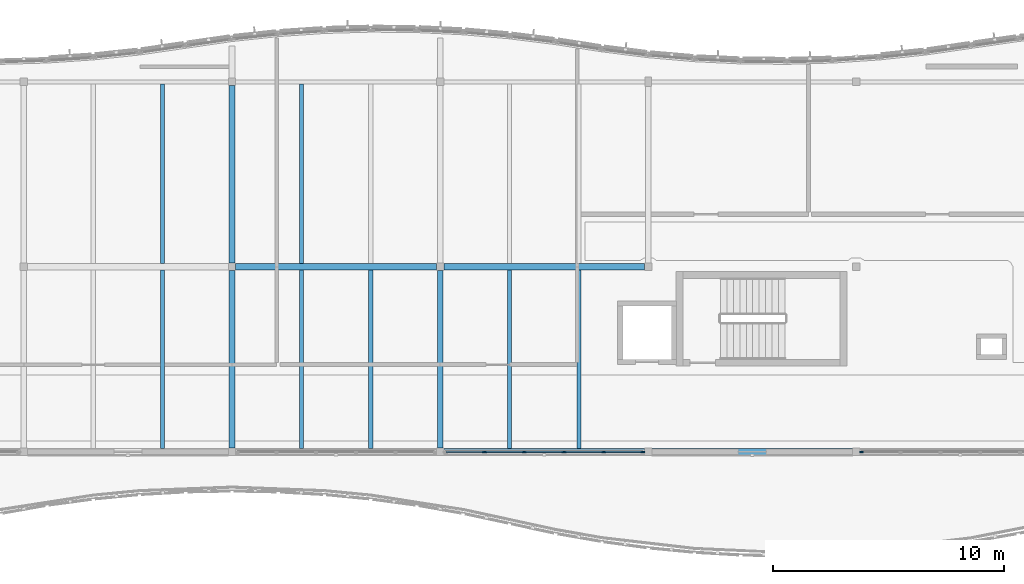
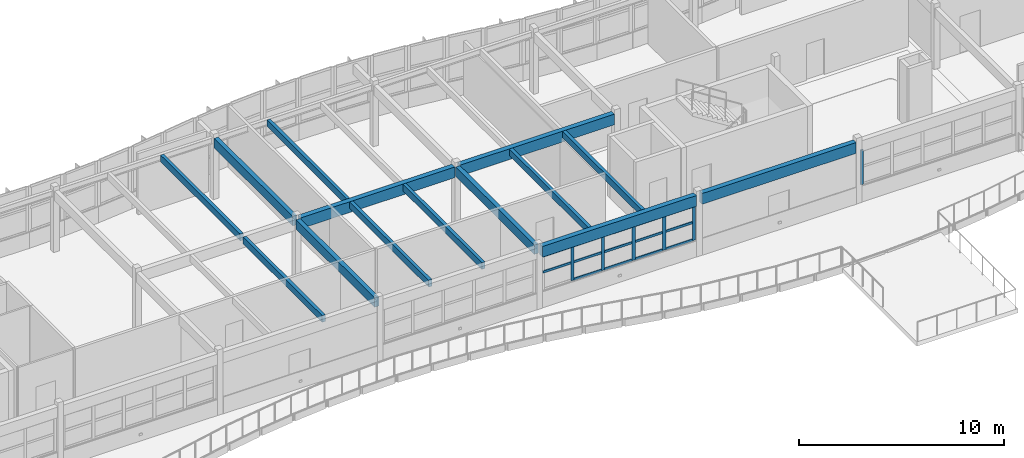
# One storey, part 6 of 33: 20 members, 14 beams, 2 elements without a shape of their own.
"""IFC4 building model written with IfcOpenShell, lengths in metres."""

from ifc_helpers import new_model, si_unit, direction, frame, origin, origin_2d, place, context, subcontext, project, spatial, rectangle, extrude, material, layer, layer_set, material_profile, profile_set, type_object, element, aggregate, save


model = new_model("IFC4")

# Units and contexts
model_context = context("Model", 3, precision=1e-05, world=origin(), true_north=direction((0.0, 1.0)))
body_context = subcontext(model_context, "Body", "Model", "MODEL_VIEW")
ifc_project = project(units=[si_unit("LENGTHUNIT", "METRE"), si_unit("AREAUNIT", "SQUARE_METRE"), si_unit("VOLUMEUNIT", "CUBIC_METRE"), si_unit("PLANEANGLEUNIT", "RADIAN"), si_unit("MASSUNIT", "GRAM", prefix="KILO")], contexts=[model_context])

# Site, building, storey
site_placement = place(None, origin())
site = spatial("IfcSite", under=ifc_project, at=site_placement, CompositionType="ELEMENT")
building_placement = place(site_placement, origin())
building = spatial("IfcBuilding", under=site, at=building_placement, Name="Tonlespit Floodbar School", CompositionType="ELEMENT")
storey_placement = place(building_placement, frame((0.0, 0.0, 16.199951171875)))
storey = spatial("IfcBuildingStorey", under=building, at=storey_placement, Name="L04", CompositionType="ELEMENT", Elevation=16.199951171875)

# Beams
ifc_material_1 = material(Name="Glulam GL28h", Category="wood")
ifc_material_profile_1 = material_profile(ifc_material_1, rectangle(XDim=0.239990234375, YDim=0.56005859375, at=origin_2d()), Name="GL 240x560")
ifc_profile_set_1 = profile_set([ifc_material_profile_1], Name="Glulam GL28h")
beam_type_1 = type_object("IfcBeamType", Name="Beam_GL_240x560", PredefinedType="BEAM", material=ifc_profile_set_1)
for number, where, z_axis, x_axis, name in (
    (1, (80.0, 104.159912109375, 3.3681640625), (0.0, 1.0, 0.0), (-1.0, 0.0, 0.0), "L04 girder 1314"),
    (2, (80.0, 112.159912109375, 3.3701171875), (0.0, 1.0, 0.0), (-1.0, 0.0, 0.0), "L04 girder 1315"),
    (3, (89.0, 104.159912109375, 3.3681640625), (0.0, 1.0, 0.0), (-1.0, 0.0, 0.0), "L04 girder 1316"),
):
    element("IfcBeam", number, at=place(storey_placement, frame(where, z_axis=z_axis, x_axis=x_axis)), inside=storey, type_object=beam_type_1, Name=name, PredefinedType="BEAM", context=body_context, shape_type="SweptSolid", body=[
        extrude(rectangle(XDim=0.239990234375, YDim=0.56005859375, at=origin_2d()), origin(), (0.0, 0.0, 1.0), 7.68017578125),
    ])
ifc_material_profile_2 = material_profile(ifc_material_1, rectangle(XDim=0.280029296875, YDim=0.639892578125, at=origin_2d()), Name="GL 280x640")
ifc_profile_set_2 = profile_set([ifc_material_profile_2], Name="Glulam GL28h")
beam_type_2 = type_object("IfcBeamType", Name="Beam_GL_280x640", PredefinedType="BEAM", material=ifc_profile_set_2)
for number, where, z_axis, x_axis, name in (
    (4, (89.159912109375, 104.0, 3.328125), (1.0, 0.0, 0.0), (0.0, 1.0, 0.0), "L04 girder 1284"),
    (5, (98.159912109375, 104.0, 3.330078125), (1.0, 0.0, 0.0), (0.0, 1.0, 0.0), "L04 girder 1285"),
    (6, (80.159912109375, 112.0, 3.328125), (1.0, 0.0, 0.0), (0.0, 1.0, 0.0), "L04 girder 1293"),
    (7, (89.159912109375, 112.0, 3.328125), (1.0, 0.0, 0.0), (0.0, 1.0, 0.0), "L04 girder 1294"),
):
    element("IfcBeam", number, at=place(storey_placement, frame(where, z_axis=z_axis, x_axis=x_axis)), inside=storey, type_object=beam_type_2, Name=name, PredefinedType="BEAM", context=body_context, shape_type="SweptSolid", body=[
        extrude(rectangle(XDim=0.280029296875, YDim=0.639892578125, at=origin_2d()), origin(), (0.0, 0.0, 1.0), 8.68017578125),
    ])

# Curtain wall, member
ifc_material_2 = material(Name="Anodised Aluminium", Category="aluminium")
ifc_layer = layer(ifc_material_2, 0.159912109375)
ifc_layer_set = layer_set([ifc_layer], Name="Anodised Aluminium")
curtain_wall_type = type_object("IfcCurtainWallType", Name="CurtainWall_8600x2050", PredefinedType="NOTDEFINED", material=ifc_layer_set)
curtain_wall_1_placement = place(storey_placement, origin())
curtain_wall_1 = element("IfcCurtainWall", 8, at=curtain_wall_1_placement, inside=storey, type_object=curtain_wall_type, Name="L04 unitised curtain wall 0202", PredefinedType="NOTDEFINED")
ifc_material_profile_3 = material_profile(ifc_material_2, rectangle(XDim=0.06494140625, YDim=0.14990234375, at=origin_2d()), Name="ALU M65x150")
ifc_profile_set_3 = profile_set([ifc_material_profile_3], Name="Anodised Aluminium")
member_type_1 = type_object("IfcMemberType", Name="CW_Mullion_65x150", PredefinedType="MULLION", material=ifc_profile_set_3)
member_1_placement = place(storey_placement, frame((107.232421875, 104.0, 0.949951171875), z_axis=(0.0, 0.0, 1.0), x_axis=(0.0, -1.0, 0.0)))
member_1 = element("IfcMember", 9, at=member_1_placement, type_object=member_type_1, Name="CW-08 mullion 6", PredefinedType="MULLION", context=body_context, shape_type="SweptSolid", body=[
    extrude(rectangle(XDim=0.06494140625, YDim=0.14990234375, at=origin_2d()), origin(), (0.0, 0.0, 1.0), 2.06005859375),
])
aggregate(curtain_wall_1, [member_1])

# Curtain wall, members
curtain_wall_2_placement = place(storey_placement, origin())
curtain_wall_2 = element("IfcCurtainWall", 10, at=curtain_wall_2_placement, inside=storey, type_object=curtain_wall_type, Name="L04 unitised curtain wall 0203", PredefinedType="NOTDEFINED")
ifc_material_profile_4 = material_profile(ifc_material_2, rectangle(XDim=0.06494140625, YDim=0.179931640625, at=origin_2d()), Name="ALU M65x180")
ifc_profile_set_4 = profile_set([ifc_material_profile_4], Name="Anodised Aluminium")
member_type_2 = type_object("IfcMemberType", Name="CW_Mullion_65x180", PredefinedType="MULLION", material=ifc_profile_set_4)
member_2_placement = place(storey_placement, frame((97.767578125, 104.0, 0.949951171875), z_axis=(0.0, 0.0, 1.0), x_axis=(0.0, -1.0, 0.0)))
member_2 = element("IfcMember", 11, at=member_2_placement, type_object=member_type_2, Name="CW-08 mullion 1", PredefinedType="MULLION", context=body_context, shape_type="SweptSolid", body=[
    extrude(rectangle(XDim=0.06494140625, YDim=0.179931640625, at=origin_2d()), origin(), (0.0, 0.0, 1.0), 2.05810546875),
])
member_3_placement = place(storey_placement, frame((96.080078125, 104.0, 0.949951171875), z_axis=(0.0, 0.0, 1.0), x_axis=(0.0, -1.0, 0.0)))
member_3 = element("IfcMember", 12, at=member_3_placement, type_object=member_type_2, Name="CW-08 mullion 2", PredefinedType="MULLION", context=body_context, shape_type="SweptSolid", body=[
    extrude(rectangle(XDim=0.06494140625, YDim=0.179931640625, at=origin_2d()), origin(), (0.0, 0.0, 1.0), 2.05810546875),
])
member_4_placement = place(storey_placement, frame((94.360107421875, 104.0, 0.949951171875), z_axis=(0.0, 0.0, 1.0), x_axis=(0.0, -1.0, 0.0)))
member_4 = element("IfcMember", 13, at=member_4_placement, type_object=member_type_2, Name="CW-08 mullion 3", PredefinedType="MULLION", context=body_context, shape_type="SweptSolid", body=[
    extrude(rectangle(XDim=0.06494140625, YDim=0.179931640625, at=origin_2d()), origin(), (0.0, 0.0, 1.0), 2.05810546875),
])
member_5_placement = place(storey_placement, frame((92.639892578125, 104.0, 0.949951171875), z_axis=(0.0, 0.0, 1.0), x_axis=(0.0, -1.0, 0.0)))
member_5 = element("IfcMember", 14, at=member_5_placement, type_object=member_type_2, Name="CW-08 mullion 4", PredefinedType="MULLION", context=body_context, shape_type="SweptSolid", body=[
    extrude(rectangle(XDim=0.06494140625, YDim=0.179931640625, at=origin_2d()), origin(), (0.0, 0.0, 1.0), 2.05810546875),
])
member_6_placement = place(storey_placement, frame((90.919921875, 104.0, 0.949951171875), z_axis=(0.0, 0.0, 1.0), x_axis=(0.0, -1.0, 0.0)))
member_6 = element("IfcMember", 15, at=member_6_placement, type_object=member_type_2, Name="CW-08 mullion 5", PredefinedType="MULLION", context=body_context, shape_type="SweptSolid", body=[
    extrude(rectangle(XDim=0.06494140625, YDim=0.179931640625, at=origin_2d()), origin(), (0.0, 0.0, 1.0), 2.05810546875),
])
ifc_material_profile_5 = material_profile(ifc_material_2, rectangle(XDim=0.06494140625, YDim=0.139892578125, at=origin_2d()), Name="ALU T65x140")
ifc_profile_set_5 = profile_set([ifc_material_profile_5], Name="Anodised Aluminium")
member_type_3 = type_object("IfcMemberType", Name="CW_Transom_65x140", PredefinedType="USERDEFINED", material=ifc_profile_set_5)
member_7_placement = place(storey_placement, frame((97.735107421875, 104.0, 0.982666015625), z_axis=(-1.0, 0.0, 0.0), x_axis=(0.0, -1.0, 0.0)))
member_7 = element("IfcMember", 16, at=member_7_placement, type_object=member_type_3, Name="CW-08 transom 1.1", ObjectType="TRANSOM", PredefinedType="USERDEFINED", context=body_context, shape_type="SweptSolid", body=[
    extrude(rectangle(XDim=0.06494140625, YDim=0.139892578125, at=origin_2d()), origin(), (0.0, 0.0, 1.0), 1.62255859375),
])
member_8_placement = place(storey_placement, frame((97.735107421875, 104.0, 2.020263671875), z_axis=(-1.0, 0.0, 0.0), x_axis=(0.0, -1.0, 0.0)))
member_8 = element("IfcMember", 17, at=member_8_placement, type_object=member_type_3, Name="CW-08 transom 1.2", ObjectType="TRANSOM", PredefinedType="USERDEFINED", context=body_context, shape_type="SweptSolid", body=[
    extrude(rectangle(XDim=0.06494140625, YDim=0.139892578125, at=origin_2d()), origin(), (0.0, 0.0, 1.0), 1.62255859375),
])
member_9_placement = place(storey_placement, frame((97.735107421875, 104.0, 2.9755859375), z_axis=(-1.0, 0.0, 0.0), x_axis=(0.0, -1.0, 0.0)))
member_9 = element("IfcMember", 18, at=member_9_placement, type_object=member_type_3, Name="CW-08 transom 1.3", ObjectType="TRANSOM", PredefinedType="USERDEFINED", context=body_context, shape_type="SweptSolid", body=[
    extrude(rectangle(XDim=0.06494140625, YDim=0.139892578125, at=origin_2d()), origin(), (0.0, 0.0, 1.0), 1.62255859375),
])
member_10_placement = place(storey_placement, frame((96.047607421875, 104.0, 0.982666015625), z_axis=(-1.0, 0.0, 0.0), x_axis=(0.0, -1.0, 0.0)))
member_10 = element("IfcMember", 19, at=member_10_placement, type_object=member_type_3, Name="CW-08 transom 2.1", ObjectType="TRANSOM", PredefinedType="USERDEFINED", context=body_context, shape_type="SweptSolid", body=[
    extrude(rectangle(XDim=0.06494140625, YDim=0.139892578125, at=origin_2d()), origin(), (0.0, 0.0, 1.0), 1.655029296875),
])
member_11_placement = place(storey_placement, frame((96.047607421875, 104.0, 2.020263671875), z_axis=(-1.0, 0.0, 0.0), x_axis=(0.0, -1.0, 0.0)))
member_11 = element("IfcMember", 20, at=member_11_placement, type_object=member_type_3, Name="CW-08 transom 2.2", ObjectType="TRANSOM", PredefinedType="USERDEFINED", context=body_context, shape_type="SweptSolid", body=[
    extrude(rectangle(XDim=0.06494140625, YDim=0.139892578125, at=origin_2d()), origin(), (0.0, 0.0, 1.0), 1.655029296875),
])
member_12_placement = place(storey_placement, frame((96.047607421875, 104.0, 2.9755859375), z_axis=(-1.0, 0.0, 0.0), x_axis=(0.0, -1.0, 0.0)))
member_12 = element("IfcMember", 21, at=member_12_placement, type_object=member_type_3, Name="CW-08 transom 2.3", ObjectType="TRANSOM", PredefinedType="USERDEFINED", context=body_context, shape_type="SweptSolid", body=[
    extrude(rectangle(XDim=0.06494140625, YDim=0.139892578125, at=origin_2d()), origin(), (0.0, 0.0, 1.0), 1.655029296875),
])
member_13_placement = place(storey_placement, frame((94.327392578125, 104.0, 0.982666015625), z_axis=(-1.0, 0.0, 0.0), x_axis=(0.0, -1.0, 0.0)))
member_13 = element("IfcMember", 22, at=member_13_placement, type_object=member_type_3, Name="CW-08 transom 3.1", ObjectType="TRANSOM", PredefinedType="USERDEFINED", context=body_context, shape_type="SweptSolid", body=[
    extrude(rectangle(XDim=0.06494140625, YDim=0.139892578125, at=origin_2d()), origin(), (0.0, 0.0, 1.0), 1.65478515625),
])
member_14_placement = place(storey_placement, frame((94.327392578125, 104.0, 2.020263671875), z_axis=(-1.0, 0.0, 0.0), x_axis=(0.0, -1.0, 0.0)))
member_14 = element("IfcMember", 23, at=member_14_placement, type_object=member_type_3, Name="CW-08 transom 3.2", ObjectType="TRANSOM", PredefinedType="USERDEFINED", context=body_context, shape_type="SweptSolid", body=[
    extrude(rectangle(XDim=0.06494140625, YDim=0.139892578125, at=origin_2d()), origin(), (0.0, 0.0, 1.0), 1.65478515625),
])
member_15_placement = place(storey_placement, frame((94.327392578125, 104.0, 2.9755859375), z_axis=(-1.0, 0.0, 0.0), x_axis=(0.0, -1.0, 0.0)))
member_15 = element("IfcMember", 24, at=member_15_placement, type_object=member_type_3, Name="CW-08 transom 3.3", ObjectType="TRANSOM", PredefinedType="USERDEFINED", context=body_context, shape_type="SweptSolid", body=[
    extrude(rectangle(XDim=0.06494140625, YDim=0.139892578125, at=origin_2d()), origin(), (0.0, 0.0, 1.0), 1.65478515625),
])
member_16_placement = place(storey_placement, frame((92.607421875, 104.0, 0.982666015625), z_axis=(-1.0, 0.0, 0.0), x_axis=(0.0, -1.0, 0.0)))
member_16 = element("IfcMember", 25, at=member_16_placement, type_object=member_type_3, Name="CW-08 transom 4.1", ObjectType="TRANSOM", PredefinedType="USERDEFINED", context=body_context, shape_type="SweptSolid", body=[
    extrude(rectangle(XDim=0.06494140625, YDim=0.139892578125, at=origin_2d()), origin(), (0.0, 0.0, 1.0), 1.655029296875),
])
member_17_placement = place(storey_placement, frame((92.607421875, 104.0, 2.020263671875), z_axis=(-1.0, 0.0, 0.0), x_axis=(0.0, -1.0, 0.0)))
member_17 = element("IfcMember", 26, at=member_17_placement, type_object=member_type_3, Name="CW-08 transom 4.2", ObjectType="TRANSOM", PredefinedType="USERDEFINED", context=body_context, shape_type="SweptSolid", body=[
    extrude(rectangle(XDim=0.06494140625, YDim=0.139892578125, at=origin_2d()), origin(), (0.0, 0.0, 1.0), 1.655029296875),
])
member_18_placement = place(storey_placement, frame((92.607421875, 104.0, 2.9755859375), z_axis=(-1.0, 0.0, 0.0), x_axis=(0.0, -1.0, 0.0)))
member_18 = element("IfcMember", 27, at=member_18_placement, type_object=member_type_3, Name="CW-08 transom 4.3", ObjectType="TRANSOM", PredefinedType="USERDEFINED", context=body_context, shape_type="SweptSolid", body=[
    extrude(rectangle(XDim=0.06494140625, YDim=0.139892578125, at=origin_2d()), origin(), (0.0, 0.0, 1.0), 1.655029296875),
])
member_19_placement = place(storey_placement, frame((90.887451171875, 104.0, 2.020263671875), z_axis=(-1.0, 0.0, 0.0), x_axis=(0.0, -1.0, 0.0)))
member_19 = element("IfcMember", 28, at=member_19_placement, type_object=member_type_3, Name="CW-08 transom 5.2", ObjectType="TRANSOM", PredefinedType="USERDEFINED", context=body_context, shape_type="SweptSolid", body=[
    extrude(rectangle(XDim=0.06494140625, YDim=0.139892578125, at=origin_2d()), origin(), (0.0, 0.0, 1.0), 1.62255859375),
])
member_20_placement = place(storey_placement, frame((90.887451171875, 104.0, 2.9755859375), z_axis=(-1.0, 0.0, 0.0), x_axis=(0.0, -1.0, 0.0)))
member_20 = element("IfcMember", 29, at=member_20_placement, type_object=member_type_3, Name="CW-08 transom 5.3", ObjectType="TRANSOM", PredefinedType="USERDEFINED", context=body_context, shape_type="SweptSolid", body=[
    extrude(rectangle(XDim=0.06494140625, YDim=0.139892578125, at=origin_2d()), origin(), (0.0, 0.0, 1.0), 1.62255859375),
])
aggregate(curtain_wall_2, [member_2, member_3, member_4, member_5, member_6, member_7, member_8, member_9, member_10, member_11, member_12, member_13, member_14, member_15, member_16, member_17, member_18, member_19, member_20])

# Beams
ifc_material_profile_6 = material_profile(ifc_material_1, rectangle(XDim=0.179931640625, YDim=0.39990234375, at=origin_2d()), Name="GL 180x400")
ifc_profile_set_6 = profile_set([ifc_material_profile_6], Name="Glulam GL28h")
beam_type_3 = type_object("IfcBeamType", Name="Joist_GL_180x400", PredefinedType="JOIST", material=ifc_profile_set_6)
for number, where, z_axis, x_axis, name in (
    (30, (77.0, 104.139892578125, 3.447998046875), (0.0, 1.0, 0.0), (-1.0, 0.0, 0.0), "L04 secondary joist 1323"),
    (31, (83.0, 104.139892578125, 3.447998046875), (0.0, 1.0, 0.0), (-1.0, 0.0, 0.0), "L04 secondary joist 1324"),
    (32, (86.0, 104.139892578125, 3.447998046875), (0.0, 1.0, 0.0), (-1.0, 0.0, 0.0), "L04 secondary joist 1325"),
    (33, (92.0, 104.139892578125, 3.447998046875), (0.0, 1.0, 0.0), (-1.0, 0.0, 0.0), "L04 secondary joist 1326"),
    (34, (95.0, 104.139892578125, 3.447998046875), (0.0, 1.0, 0.0), (-1.0, 0.0, 0.0), "L04 secondary joist 1327"),
):
    element("IfcBeam", number, at=place(storey_placement, frame(where, z_axis=z_axis, x_axis=x_axis)), inside=storey, type_object=beam_type_3, Name=name, PredefinedType="JOIST", context=body_context, shape_type="SweptSolid", body=[
        extrude(rectangle(XDim=0.179931640625, YDim=0.39990234375, at=origin_2d()), origin(), (0.0, 0.0, 1.0), 7.72021484375),
    ])
for number, where, z_axis, x_axis, name in (
    (35, (77.0, 112.139892578125, 3.447998046875), (0.0, 1.0, 0.0), (-1.0, 0.0, 0.0), "L04 secondary joist 1331"),
    (36, (83.0, 112.139892578125, 3.447998046875), (0.0, 1.0, 0.0), (-1.0, 0.0, 0.0), "L04 secondary joist 1332"),
):
    element("IfcBeam", number, at=place(storey_placement, frame(where, z_axis=z_axis, x_axis=x_axis)), inside=storey, type_object=beam_type_3, Name=name, PredefinedType="JOIST", context=body_context, shape_type="SweptSolid", body=[
        extrude(rectangle(XDim=0.179931640625, YDim=0.39990234375, at=origin_2d()), origin(), (0.0, 0.0, 1.0), 7.775146484375),
    ])

save(model, "model.ifc")
